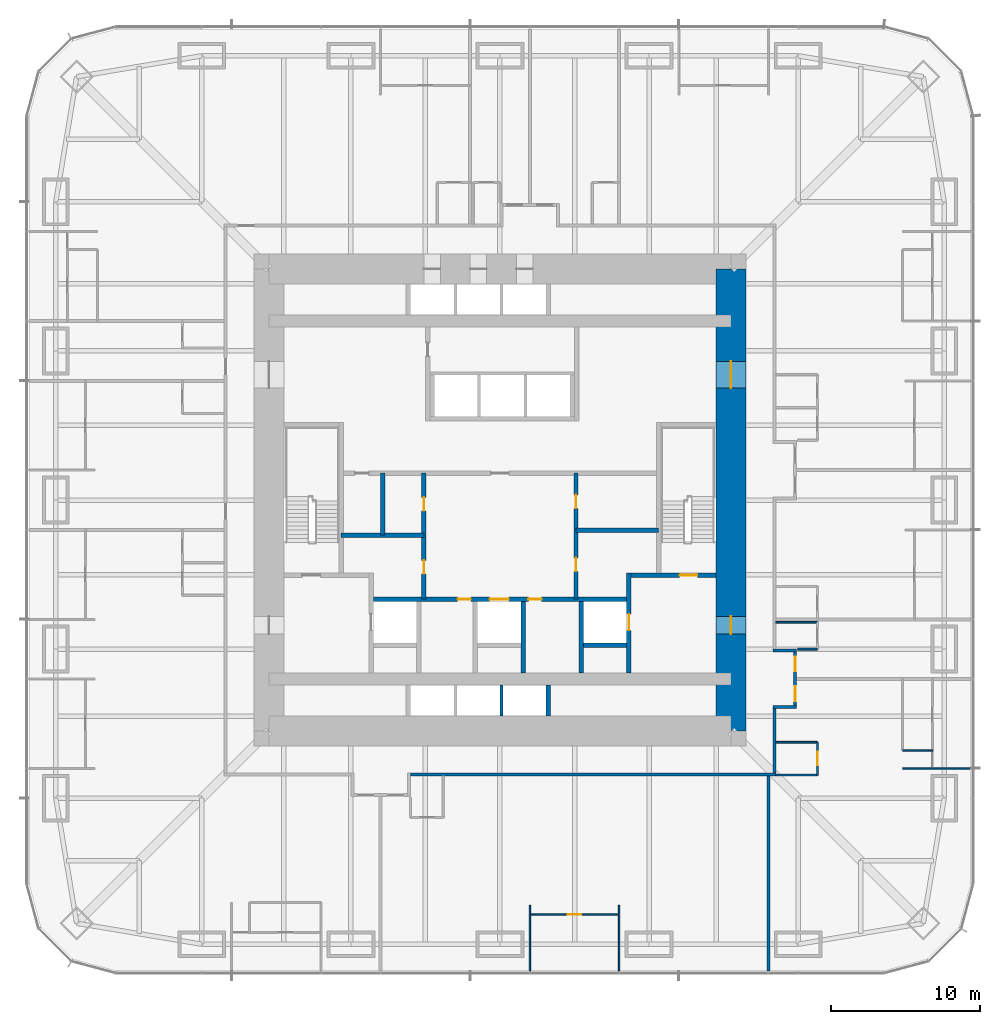
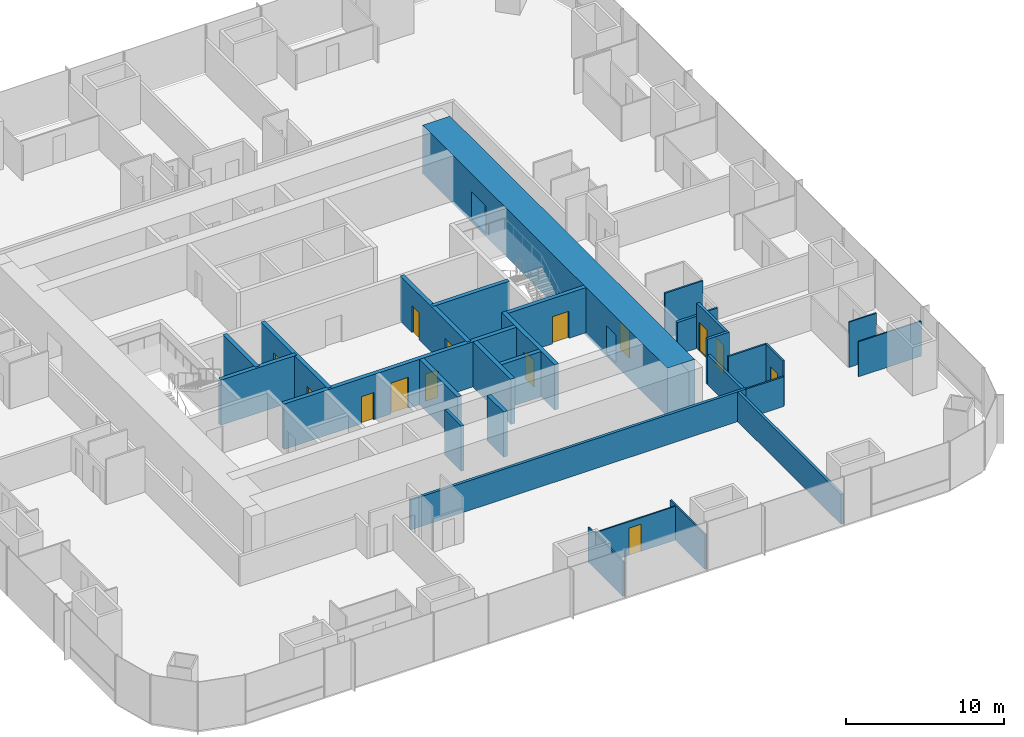
# One storey, part 13 of 17: 30 walls, 15 doors, 15 openings.
"""IFC4 building model written with IfcOpenShell, lengths in metres."""

from ifc_helpers import new_model, si_unit, direction, frame, frame_2d, origin, place, context, subcontext, project, spatial, rectangle, extrude, material, layer, layer_set, type_object, element, fill, save


model = new_model("IFC4")

# Units and contexts
model_context = context("Model", 3, precision=1e-05, world=origin(), true_north=direction((0.0, 1.0)))
body_context = subcontext(model_context, "Body", "Model", "MODEL_VIEW")
ifc_project = project(units=[si_unit("LENGTHUNIT", "METRE"), si_unit("AREAUNIT", "SQUARE_METRE"), si_unit("VOLUMEUNIT", "CUBIC_METRE"), si_unit("PLANEANGLEUNIT", "RADIAN"), si_unit("MASSUNIT", "GRAM", prefix="KILO")], contexts=[model_context])

# Site, building, storey
site_placement = place(None, origin())
site = spatial("IfcSite", under=ifc_project, at=site_placement, CompositionType="ELEMENT")
building_placement = place(site_placement, origin())
building = spatial("IfcBuilding", under=site, at=building_placement, Name="Khuree Lantern Residences", CompositionType="ELEMENT")
storey_placement = place(building_placement, frame((0.0, 0.0, 43.5)))
storey = spatial("IfcBuildingStorey", under=building, at=storey_placement, Name="L10", CompositionType="ELEMENT", Elevation=43.5)

# Wall, opening, door
ifc_material_1 = material(Name="Moisture-resistant gypsum board on steel studs", Category="steel")
ifc_layer_1 = layer(ifc_material_1, 0.125)
ifc_layer_set_1 = layer_set([ifc_layer_1], Name="BATHROOM WALL BTW125")
wall_type_1 = type_object("IfcWallType", Name="BATHROOM WALL BTW125", PredefinedType="PARTITIONING", material=ifc_layer_set_1)
wall_1_placement = place(storey_placement, frame((21.300048828125, -18.449951171875, 0.0), z_axis=(0.0, 0.0, 1.0), x_axis=(0.0, 1.0, 0.0)))
wall_1 = element("IfcWall", 1, at=wall_1_placement, inside=storey, type_object=wall_type_1, Name="L10 BATHROOM WALL 10", PredefinedType="PARTITIONING", context=body_context, shape_type="SweptSolid", body=[
    extrude(rectangle(XDim=2.199951171875, YDim=0.125, at=frame_2d((1.10009765625, 0.0))), origin(), (0.0, 0.0, 1.0), 3.5),
])
opening_1_placement = place(wall_1_placement, frame((0.64990234375, 0.0, 0.0)))
opening_1 = element("IfcOpeningElement", 2, at=opening_1_placement, cuts=wall_1, Name="Opening 10-058", PredefinedType="OPENING", context=body_context, shape_type="SweptSolid", body=[
    extrude(rectangle(XDim=0.89990234375, YDim=2.10009765625, at=frame_2d((0.449951171875, 1.050048828125))), frame((0.0, 0.072509765625, 0.0), z_axis=(0.0, -1.0, 0.0), x_axis=(1.0, 0.0, 0.0)), (0.0, 0.0, 1.0), 0.14501953125),
])
ifc_material_2 = material(Name="Timber door leaf in hardwood frame", Category="wood")
door_type_1 = type_object("IfcDoorType", Name="BATHROOM DOOR 900X2100", OperationType="SINGLE_SWING_LEFT", PredefinedType="DOOR", material=ifc_material_2)
door_1_placement = place(opening_1_placement, origin())
door_1 = element("IfcDoor", 3, at=door_1_placement, inside=storey, type_object=door_type_1, Name="Bathroom door 10-058", OperationType="SINGLE_SWING_LEFT", OverallHeight=2.10009765625, OverallWidth=0.89990234375, PredefinedType="DOOR", context=body_context, shape_type="SweptSolid", body=[
    extrude(rectangle(XDim=0.89990234375, YDim=2.10009765625, at=frame_2d((0.449951171875, 1.050048828125))), frame((0.0, 0.02490234375, 0.0), z_axis=(0.0, -1.0, 0.0), x_axis=(1.0, 0.0, 0.0)), (0.0, 0.0, 1.0), 0.050048828125),
])
fill(opening_1, door_1)

# Walls
wall_2_placement = place(storey_placement, frame((18.5, -18.449951171875, 0.0), z_axis=(0.0, 0.0, 1.0), x_axis=(1.0, 0.0, 0.0)))
element("IfcWall", 4, at=wall_2_placement, inside=storey, type_object=wall_type_1, Name="L10 BATHROOM WALL 10", PredefinedType="PARTITIONING", context=body_context, shape_type="SweptSolid", body=[
    extrude(rectangle(XDim=2.800048828125, YDim=0.125, at=frame_2d((1.39990234375, 0.0))), origin(), (0.0, 0.0, 1.0), 2.300048828125),
])
wall_3_placement = place(storey_placement, frame((18.5, -16.25, 0.0), z_axis=(0.0, 0.0, 1.0), x_axis=(1.0, 0.0, 0.0)))
element("IfcWall", 5, at=wall_3_placement, inside=storey, type_object=wall_type_1, Name="L10 BATHROOM WALL 10", PredefinedType="PARTITIONING", context=body_context, shape_type="SweptSolid", body=[
    extrude(rectangle(XDim=2.800048828125, YDim=0.125, at=frame_2d((1.39990234375, 0.0))), origin(), (0.0, 0.0, 1.0), 3.5),
])
wall_4_placement = place(storey_placement, frame((19.969970703125, -10.0, 0.0), z_axis=(0.0, 0.0, 1.0), x_axis=(1.0, 0.0, 0.0)))
element("IfcWall", 6, at=wall_4_placement, inside=storey, type_object=wall_type_1, Name="L10 BATHROOM WALL 11", PredefinedType="PARTITIONING", context=body_context, shape_type="SweptSolid", body=[
    extrude(rectangle(XDim=1.330078125, YDim=0.125, at=frame_2d((0.6650390625, 0.0))), origin(), (0.0, 0.0, 1.0), 2.491943359375),
])
wall_5_placement = place(storey_placement, frame((18.5, -8.199951171875, 0.0), z_axis=(0.0, 0.0, 1.0), x_axis=(1.0, 0.0, 0.0)))
element("IfcWall", 7, at=wall_5_placement, inside=storey, type_object=wall_type_1, Name="L10 BATHROOM WALL 11", PredefinedType="PARTITIONING", context=body_context, shape_type="SweptSolid", body=[
    extrude(rectangle(XDim=2.800048828125, YDim=0.125, at=frame_2d((1.39990234375, 0.0))), origin(), (0.0, 0.0, 1.0), 3.5),
])

# Wall, opening, door
ifc_material_3 = material(Name="Dense concrete blockwork", Category="masonry")
ifc_layer_2 = layer(ifc_material_3, 0.300048828125)
ifc_layer_set_2 = layer_set([ifc_layer_2], Name="CORE PARTITION WALL CPW300 EI 120")
wall_type_2 = type_object("IfcWallType", Name="CORE PARTITION WALL CPW300 EI 120", PredefinedType="PARTITIONING", material=ifc_layer_set_2)
wall_6_placement = place(storey_placement, frame((8.64990234375, -11.60009765625, 0.0), z_axis=(0.0, 0.0, 1.0), x_axis=(0.0, 1.0, 0.0)))
wall_6 = element("IfcWall", 8, at=wall_6_placement, inside=storey, type_object=wall_type_2, Name="L10 CORE WALL FL2E", PredefinedType="PARTITIONING", context=body_context, shape_type="SweptSolid", body=[
    extrude(rectangle(XDim=6.7001953125, YDim=0.300048828125, at=frame_2d((3.35009765625, 0.0))), origin(), (0.0, 0.0, 1.0), 3.5),
])
opening_2_placement = place(wall_6_placement, frame((2.85009765625, 0.0, 0.0)))
opening_2 = element("IfcOpeningElement", 9, at=opening_2_placement, cuts=wall_6, Name="Opening 10-008", PredefinedType="OPENING", context=body_context, shape_type="SweptSolid", body=[
    extrude(rectangle(XDim=1.10009765625, YDim=2.10009765625, at=frame_2d((0.550048828125, 1.050048828125))), frame((0.0, 0.16015625, 0.0), z_axis=(0.0, -1.0, 0.0), x_axis=(1.0, 0.0, 0.0)), (0.0, 0.0, 1.0), 0.320068359375),
])
ifc_material_4 = material(Name="Stainless steel lift landing door", Category="steel")
door_type_2 = type_object("IfcDoorType", Name="LIFT LANDING DOOR 1100X2100 E 120", OperationType="DOUBLE_DOOR_SLIDING", PredefinedType="DOOR", material=ifc_material_4)
door_2_placement = place(opening_2_placement, origin())
door_2 = element("IfcDoor", 10, at=door_2_placement, inside=storey, type_object=door_type_2, Name="Landing door FL2 10-008", OperationType="DOUBLE_DOOR_SLIDING", OverallHeight=2.10009765625, OverallWidth=1.10009765625, PredefinedType="DOOR", context=body_context, shape_type="SweptSolid", body=[
    extrude(rectangle(XDim=1.10009765625, YDim=2.10009765625, at=frame_2d((0.550048828125, 1.050048828125))), frame((0.0, 0.02490234375, 0.0), z_axis=(0.0, -1.0, 0.0), x_axis=(1.0, 0.0, 0.0)), (0.0, 0.0, 1.0), 0.050048828125),
])
fill(opening_2, door_2)

# Wall, openings, doors
wall_7_placement = place(storey_placement, frame((-8.5, -6.64990234375, 0.0), z_axis=(0.0, 0.0, 1.0), x_axis=(1.0, 0.0, 0.0)))
wall_7 = element("IfcWall", 11, at=wall_7_placement, inside=storey, type_object=wall_type_2, Name="L10 CORE WALL FLROW", PredefinedType="PARTITIONING", context=body_context, shape_type="SweptSolid", body=[
    extrude(rectangle(XDim=17.0, YDim=0.300048828125, at=frame_2d((8.5, 0.0))), origin(), (0.0, 0.0, 1.0), 3.5),
])
opening_3_placement = place(wall_7_placement, frame((7.800048828125, 0.0, 0.0)))
opening_3 = element("IfcOpeningElement", 12, at=opening_3_placement, cuts=wall_7, Name="Opening 10-012", PredefinedType="OPENING", context=body_context, shape_type="SweptSolid", body=[
    extrude(rectangle(XDim=1.300048828125, YDim=2.39990234375, at=frame_2d((0.64990234375, 1.199951171875))), frame((0.0, 0.16015625, 0.0), z_axis=(0.0, -1.0, 0.0), x_axis=(1.0, 0.0, 0.0)), (0.0, 0.0, 1.0), 0.320068359375),
])
opening_4_placement = place(wall_7_placement, frame((5.64990234375, 0.0, 0.0)))
opening_4 = element("IfcOpeningElement", 13, at=opening_4_placement, cuts=wall_7, Name="Opening 10-014", PredefinedType="OPENING", context=body_context, shape_type="SweptSolid", body=[
    extrude(rectangle(XDim=0.89990234375, YDim=2.10009765625, at=frame_2d((0.449951171875, 1.050048828125))), frame((0.0, 0.16015625, 0.0), z_axis=(0.0, -1.0, 0.0), x_axis=(1.0, 0.0, 0.0)), (0.0, 0.0, 1.0), 0.320068359375),
])
opening_5_placement = place(wall_7_placement, frame((10.39990234375, 0.0, 0.0)))
opening_5 = element("IfcOpeningElement", 14, at=opening_5_placement, cuts=wall_7, Name="Opening 10-015", PredefinedType="OPENING", context=body_context, shape_type="SweptSolid", body=[
    extrude(rectangle(XDim=0.89990234375, YDim=2.10009765625, at=frame_2d((0.449951171875, 1.050048828125))), frame((0.0, 0.16015625, 0.0), z_axis=(0.0, -1.0, 0.0), x_axis=(1.0, 0.0, 0.0)), (0.0, 0.0, 1.0), 0.320068359375),
])
ifc_material_5 = material(Name="Steel door leaf in steel frame", Category="steel")
door_type_3 = type_object("IfcDoorType", Name="DOOR 900X2100 EI 60", OperationType="SINGLE_SWING_LEFT", PredefinedType="DOOR", material=ifc_material_5)
door_3_placement = place(opening_4_placement, origin())
door_3 = element("IfcDoor", 15, at=door_3_placement, inside=storey, type_object=door_type_3, Name="Refuse chute room door 10-014", OperationType="SINGLE_SWING_LEFT", OverallHeight=2.10009765625, OverallWidth=0.89990234375, PredefinedType="DOOR", context=body_context, shape_type="SweptSolid", body=[
    extrude(rectangle(XDim=0.89990234375, YDim=2.10009765625, at=frame_2d((0.449951171875, 1.050048828125))), frame((0.0, 0.02490234375, 0.0), z_axis=(0.0, -1.0, 0.0), x_axis=(1.0, 0.0, 0.0)), (0.0, 0.0, 1.0), 0.050048828125),
])
fill(opening_4, door_3)
door_type_4 = type_object("IfcDoorType", Name="DOOR 900X2100 EI 60 RIGHT HAND", OperationType="SINGLE_SWING_RIGHT", PredefinedType="DOOR", material=ifc_material_5)
door_4_placement = place(opening_5_placement, origin())
door_4 = element("IfcDoor", 16, at=door_4_placement, inside=storey, type_object=door_type_4, Name="Electrical and plumbing riser door 10-015", OperationType="SINGLE_SWING_RIGHT", OverallHeight=2.10009765625, OverallWidth=0.89990234375, PredefinedType="DOOR", context=body_context, shape_type="SweptSolid", body=[
    extrude(rectangle(XDim=0.89990234375, YDim=2.10009765625, at=frame_2d((0.449951171875, 1.050048828125))), frame((0.0, 0.02490234375, 0.0), z_axis=(0.0, -1.0, 0.0), x_axis=(1.0, 0.0, 0.0)), (0.0, 0.0, 1.0), 0.050048828125),
])
fill(opening_5, door_4)
door_type_5 = type_object("IfcDoorType", Name="LIFT LANDING DOOR 1300X2400 E 60", OperationType="DOUBLE_DOOR_SLIDING", PredefinedType="DOOR", material=ifc_material_4)
door_5_placement = place(opening_3_placement, origin())
door_5 = element("IfcDoor", 17, at=door_5_placement, inside=storey, type_object=door_type_5, Name="Landing door SL1 10-012", OperationType="DOUBLE_DOOR_SLIDING", OverallHeight=2.39990234375, OverallWidth=1.300048828125, PredefinedType="DOOR", context=body_context, shape_type="SweptSolid", body=[
    extrude(rectangle(XDim=1.300048828125, YDim=2.39990234375, at=frame_2d((0.64990234375, 1.199951171875))), frame((0.0, 0.02490234375, 0.0), z_axis=(0.0, -1.0, 0.0), x_axis=(1.0, 0.0, 0.0)), (0.0, 0.0, 1.0), 0.050048828125),
])
fill(opening_3, door_5)

# Walls
for number, where, z_axis, x_axis, name in (
    (18, (1.550048828125, -11.60009765625, 0.0), (0.0, 0.0, 1.0), (0.0, 1.0, 0.0), "L10 CORE WALL SL1E"),
    (19, (5.449951171875, -11.60009765625, 0.0), (0.0, 0.0, 1.0), (0.0, 1.0, 0.0), "L10 CORE WALL FL2W"),
):
    element("IfcWall", number, at=place(storey_placement, frame(where, z_axis=z_axis, x_axis=x_axis)), inside=storey, type_object=wall_type_2, Name=name, PredefinedType="PARTITIONING", context=body_context, shape_type="SweptSolid", body=[
        extrude(rectangle(XDim=4.800048828125, YDim=0.300048828125, at=frame_2d((2.39990234375, 0.0))), origin(), (0.0, 0.0, 1.0), 3.5),
    ])
wall_8_placement = place(storey_placement, frame((5.60009765625, -9.75, 0.0), z_axis=(0.0, 0.0, 1.0), x_axis=(1.0, 0.0, 0.0)))
element("IfcWall", 20, at=wall_8_placement, inside=storey, type_object=wall_type_2, Name="L10 CORE WALL FL2S", PredefinedType="PARTITIONING", context=body_context, shape_type="SweptSolid", body=[
    extrude(rectangle(XDim=2.89990234375, YDim=0.300048828125, at=frame_2d((1.449951171875, 0.0))), origin(), (0.0, 0.0, 1.0), 3.5),
])
wall_9_placement = place(storey_placement, frame((3.25, -14.5, 0.0), z_axis=(0.0, 0.0, 1.0), x_axis=(0.0, 1.0, 0.0)))
element("IfcWall", 21, at=wall_9_placement, inside=storey, type_object=wall_type_2, Name="L10 CORE WALL PME", PredefinedType="PARTITIONING", context=body_context, shape_type="SweptSolid", body=[
    extrude(rectangle(XDim=2.10009765625, YDim=0.300048828125, at=frame_2d((1.050048828125, 0.0))), origin(), (0.0, 0.0, 1.0), 3.5),
])

# Wall, openings, doors
wall_10_placement = place(storey_placement, frame((-5.10009765625, -6.64990234375, 0.0), z_axis=(0.0, 0.0, 1.0), x_axis=(0.0, 1.0, 0.0)))
wall_10 = element("IfcWall", 22, at=wall_10_placement, inside=storey, type_object=wall_type_2, Name="L10 CORE WALL SVW", PredefinedType="PARTITIONING", context=body_context, shape_type="SweptSolid", body=[
    extrude(rectangle(XDim=8.449951171875, YDim=0.300048828125, at=frame_2d((4.22509765625, 0.0))), origin(), (0.0, 0.0, 1.0), 3.5),
])
opening_6_placement = place(wall_10_placement, frame((1.699951171875, 0.0, 0.0)))
opening_6 = element("IfcOpeningElement", 23, at=opening_6_placement, cuts=wall_10, Name="Opening 10-016", PredefinedType="OPENING", context=body_context, shape_type="SweptSolid", body=[
    extrude(rectangle(XDim=0.89990234375, YDim=2.10009765625, at=frame_2d((0.449951171875, 1.050048828125))), frame((0.0, 0.16015625, 0.0), z_axis=(0.0, -1.0, 0.0), x_axis=(1.0, 0.0, 0.0)), (0.0, 0.0, 1.0), 0.320068359375),
])
opening_7_placement = place(wall_10_placement, frame((5.925048828125, 0.0, 0.0)))
opening_7 = element("IfcOpeningElement", 24, at=opening_7_placement, cuts=wall_10, Name="Opening 10-017", PredefinedType="OPENING", context=body_context, shape_type="SweptSolid", body=[
    extrude(rectangle(XDim=0.89990234375, YDim=2.10009765625, at=frame_2d((0.449951171875, 1.050048828125))), frame((0.0, 0.16015625, 0.0), z_axis=(0.0, -1.0, 0.0), x_axis=(1.0, 0.0, 0.0)), (0.0, 0.0, 1.0), 0.320068359375),
])
door_type_6 = type_object("IfcDoorType", Name="DOOR 900X2100", OperationType="SINGLE_SWING_LEFT", PredefinedType="DOOR", material=ifc_material_2)
door_6_placement = place(opening_6_placement, origin())
door_6 = element("IfcDoor", 25, at=door_6_placement, inside=storey, type_object=door_type_6, Name="Parcel room door 10-016", OperationType="SINGLE_SWING_LEFT", OverallHeight=2.10009765625, OverallWidth=0.89990234375, PredefinedType="DOOR", context=body_context, shape_type="SweptSolid", body=[
    extrude(rectangle(XDim=0.89990234375, YDim=2.10009765625, at=frame_2d((0.449951171875, 1.050048828125))), frame((0.0, 0.02490234375, 0.0), z_axis=(0.0, -1.0, 0.0), x_axis=(1.0, 0.0, 0.0)), (0.0, 0.0, 1.0), 0.050048828125),
])
fill(opening_6, door_6)
door_7_placement = place(opening_7_placement, origin())
door_7 = element("IfcDoor", 26, at=door_7_placement, inside=storey, type_object=door_type_6, Name="Housekeeping store door 10-017", OperationType="SINGLE_SWING_LEFT", OverallHeight=2.10009765625, OverallWidth=0.89990234375, PredefinedType="DOOR", context=body_context, shape_type="SweptSolid", body=[
    extrude(rectangle(XDim=0.89990234375, YDim=2.10009765625, at=frame_2d((0.449951171875, 1.050048828125))), frame((0.0, 0.02490234375, 0.0), z_axis=(0.0, -1.0, 0.0), x_axis=(1.0, 0.0, 0.0)), (0.0, 0.0, 1.0), 0.050048828125),
])
fill(opening_7, door_7)

wall_11_placement = place(storey_placement, frame((5.10009765625, -6.64990234375, 0.0), z_axis=(0.0, 0.0, 1.0), x_axis=(0.0, 1.0, 0.0)))
wall_11 = element("IfcWall", 27, at=wall_11_placement, inside=storey, type_object=wall_type_2, Name="L10 CORE WALL SVE", PredefinedType="PARTITIONING", context=body_context, shape_type="SweptSolid", body=[
    extrude(rectangle(XDim=8.449951171875, YDim=0.300048828125, at=frame_2d((4.22509765625, 0.0))), origin(), (0.0, 0.0, 1.0), 3.5),
])
opening_8_placement = place(wall_11_placement, frame((1.865966796875, 0.0, 0.0)))
opening_8 = element("IfcOpeningElement", 28, at=opening_8_placement, cuts=wall_11, Name="Opening 10-019", PredefinedType="OPENING", context=body_context, shape_type="SweptSolid", body=[
    extrude(rectangle(XDim=0.89990234375, YDim=2.10009765625, at=frame_2d((0.449951171875, 1.050048828125))), frame((0.0, 0.16015625, 0.0), z_axis=(0.0, -1.0, 0.0), x_axis=(1.0, 0.0, 0.0)), (0.0, 0.0, 1.0), 0.320068359375),
])
opening_9_placement = place(wall_11_placement, frame((6.091064453125, 0.0, 0.0)))
opening_9 = element("IfcOpeningElement", 29, at=opening_9_placement, cuts=wall_11, Name="Opening 10-020", PredefinedType="OPENING", context=body_context, shape_type="SweptSolid", body=[
    extrude(rectangle(XDim=0.89990234375, YDim=2.10009765625, at=frame_2d((0.449951171875, 1.050048828125))), frame((0.0, 0.16015625, 0.0), z_axis=(0.0, -1.0, 0.0), x_axis=(1.0, 0.0, 0.0)), (0.0, 0.0, 1.0), 0.320068359375),
])
door_8_placement = place(opening_8_placement, origin())
door_8 = element("IfcDoor", 30, at=door_8_placement, inside=storey, type_object=door_type_6, Name="Bulky waste store door 10-019", OperationType="SINGLE_SWING_LEFT", OverallHeight=2.10009765625, OverallWidth=0.89990234375, PredefinedType="DOOR", context=body_context, shape_type="SweptSolid", body=[
    extrude(rectangle(XDim=0.89990234375, YDim=2.10009765625, at=frame_2d((0.449951171875, 1.050048828125))), frame((0.0, 0.02490234375, 0.0), z_axis=(0.0, -1.0, 0.0), x_axis=(1.0, 0.0, 0.0)), (0.0, 0.0, 1.0), 0.050048828125),
])
fill(opening_8, door_8)
door_type_7 = type_object("IfcDoorType", Name="DOOR 900X2100 RIGHT HAND", OperationType="SINGLE_SWING_RIGHT", PredefinedType="DOOR", material=ifc_material_2)
door_9_placement = place(opening_9_placement, origin())
door_9 = element("IfcDoor", 31, at=door_9_placement, inside=storey, type_object=door_type_7, Name="Parcel room door 10-020", OperationType="SINGLE_SWING_RIGHT", OverallHeight=2.10009765625, OverallWidth=0.89990234375, PredefinedType="DOOR", context=body_context, shape_type="SweptSolid", body=[
    extrude(rectangle(XDim=0.89990234375, YDim=2.10009765625, at=frame_2d((0.449951171875, 1.050048828125))), frame((0.0, 0.02490234375, 0.0), z_axis=(0.0, -1.0, 0.0), x_axis=(1.0, 0.0, 0.0)), (0.0, 0.0, 1.0), 0.050048828125),
])
fill(opening_9, door_9)

# Walls
wall_12_placement = place(storey_placement, frame((-10.64990234375, -2.35009765625, 0.0), z_axis=(0.0, 0.0, 1.0), x_axis=(1.0, 0.0, 0.0)))
element("IfcWall", 32, at=wall_12_placement, inside=storey, type_object=wall_type_2, Name="L10 CORE WALL WX", PredefinedType="PARTITIONING", context=body_context, shape_type="SweptSolid", body=[
    extrude(rectangle(XDim=5.5498046875, YDim=0.300048828125, at=frame_2d((2.77490234375, 0.0))), origin(), (0.0, 0.0, 1.0), 3.5),
])
wall_13_placement = place(storey_placement, frame((-7.875, -2.35009765625, 0.0), z_axis=(0.0, 0.0, 1.0), x_axis=(0.0, 1.0, 0.0)))
element("IfcWall", 33, at=wall_13_placement, inside=storey, type_object=wall_type_2, Name="L10 CORE WALL WV", PredefinedType="PARTITIONING", context=body_context, shape_type="SweptSolid", body=[
    extrude(rectangle(XDim=4.150146484375, YDim=0.300048828125, at=frame_2d((2.0751953125, 0.0))), origin(), (0.0, 0.0, 1.0), 3.5),
])
wall_14_placement = place(storey_placement, frame((10.64990234375, -2.01806640625, 0.0), z_axis=(0.0, 0.0, 1.0), x_axis=(-1.0, 0.0, 0.0)))
element("IfcWall", 34, at=wall_14_placement, inside=storey, type_object=wall_type_2, Name="L10 CORE WALL EX", PredefinedType="PARTITIONING", context=body_context, shape_type="SweptSolid", body=[
    extrude(rectangle(XDim=5.5498046875, YDim=0.300048828125, at=frame_2d((2.77490234375, 0.0))), origin(), (0.0, 0.0, 1.0), 3.5),
])
ifc_material_6 = material(Name="Gypsum board on steel studs", Category="steel")
ifc_layer_3 = layer(ifc_material_6, 0.199951171875)
ifc_layer_set_3 = layer_set([ifc_layer_3], Name="CORRIDOR WALL CRW200 EI 60")
wall_type_3 = type_object("IfcWallType", Name="CORRIDOR WALL CRW200 EI 60", PredefinedType="PARTITIONING", material=ifc_layer_set_3)
wall_15_placement = place(storey_placement, frame((18.39990234375, -18.300048828125, 0.0), z_axis=(0.0, 0.0, 1.0), x_axis=(0.0, 1.0, 0.0)))
element("IfcWall", 35, at=wall_15_placement, inside=storey, type_object=wall_type_3, Name="L10 CORRIDOR WALL EAST 1", PredefinedType="PARTITIONING", context=body_context, shape_type="SweptSolid", body=[
    extrude(rectangle(XDim=4.300048828125, YDim=0.199951171875, at=frame_2d((2.14990234375, 0.0))), origin(), (0.0, 0.0, 1.0), 2.300048828125),
])
wall_16_placement = place(storey_placement, frame((18.300048828125, -13.89990234375, 0.0), z_axis=(0.0, 0.0, 1.0), x_axis=(1.0, 0.0, 0.0)))
element("IfcWall", 36, at=wall_16_placement, inside=storey, type_object=wall_type_3, Name="L10 CORRIDOR ALCOVE WALL EAST", PredefinedType="PARTITIONING", context=body_context, shape_type="SweptSolid", body=[
    extrude(rectangle(XDim=1.599853515625, YDim=0.199951171875, at=frame_2d((0.7998046875, 0.0))), origin(), (0.0, 0.0, 1.0), 3.5),
])
wall_17_placement = place(storey_placement, frame((18.300048828125, -10.10009765625, 0.0), z_axis=(0.0, 0.0, 1.0), x_axis=(1.0, 0.0, 0.0)))
element("IfcWall", 37, at=wall_17_placement, inside=storey, type_object=wall_type_3, Name="L10 CORRIDOR ALCOVE WALL EAST", PredefinedType="PARTITIONING", context=body_context, shape_type="SweptSolid", body=[
    extrude(rectangle(XDim=1.599853515625, YDim=0.199951171875, at=frame_2d((0.7998046875, 0.0))), origin(), (0.0, 0.0, 1.0), 2.491943359375),
])

# Wall, openings, doors
wall_18_placement = place(storey_placement, frame((19.800048828125, -13.800048828125, 0.0), z_axis=(0.0, 0.0, 1.0), x_axis=(0.0, 1.0, 0.0)))
wall_18 = element("IfcWall", 38, at=wall_18_placement, inside=storey, type_object=wall_type_3, Name="L10 CORRIDOR ALCOVE WALL EAST", PredefinedType="PARTITIONING", context=body_context, shape_type="SweptSolid", body=[
    extrude(rectangle(XDim=3.60009765625, YDim=0.199951171875, at=frame_2d((1.800048828125, 0.0))), origin(), (0.0, 0.0, 1.0), 3.5),
])
opening_10_placement = place(wall_18_placement, frame((0.300048828125, 0.0, 0.0)))
opening_10 = element("IfcOpeningElement", 39, at=opening_10_placement, cuts=wall_18, Name="Opening 10-059", PredefinedType="OPENING", context=body_context, shape_type="SweptSolid", body=[
    extrude(rectangle(XDim=1.0, YDim=2.199951171875, at=frame_2d((0.5, 1.10009765625))), frame((0.0, 0.10986328125, 0.0), z_axis=(0.0, -1.0, 0.0), x_axis=(1.0, 0.0, 0.0)), (0.0, 0.0, 1.0), 0.219970703125),
])
opening_11_placement = place(wall_18_placement, frame((2.300048828125, 0.0, 0.0)))
opening_11 = element("IfcOpeningElement", 40, at=opening_11_placement, cuts=wall_18, Name="Opening 10-061", PredefinedType="OPENING", context=body_context, shape_type="SweptSolid", body=[
    extrude(rectangle(XDim=1.0, YDim=2.199951171875, at=frame_2d((0.5, 1.10009765625))), frame((0.0, 0.10986328125, 0.0), z_axis=(0.0, -1.0, 0.0), x_axis=(1.0, 0.0, 0.0)), (0.0, 0.0, 1.0), 0.219970703125),
])
door_type_8 = type_object("IfcDoorType", Name="APARTMENT ENTRANCE DOOR 1000X2200 EI 30S", OperationType="SINGLE_SWING_LEFT", PredefinedType="DOOR", material=ifc_material_2)
door_10_placement = place(opening_10_placement, origin())
door_10 = element("IfcDoor", 41, at=door_10_placement, inside=storey, type_object=door_type_8, Name="Apartment 10 entrance door 10-059", OperationType="SINGLE_SWING_LEFT", OverallHeight=2.199951171875, OverallWidth=1.0, PredefinedType="DOOR", context=body_context, shape_type="SweptSolid", body=[
    extrude(rectangle(XDim=1.0, YDim=2.199951171875, at=frame_2d((0.5, 1.10009765625))), frame((0.0, 0.02490234375, 0.0), z_axis=(0.0, -1.0, 0.0), x_axis=(1.0, 0.0, 0.0)), (0.0, 0.0, 1.0), 0.050048828125),
])
fill(opening_10, door_10)
door_type_9 = type_object("IfcDoorType", Name="APARTMENT ENTRANCE DOOR 1000X2200 EI 30S RIGHT HAND", OperationType="SINGLE_SWING_RIGHT", PredefinedType="DOOR", material=ifc_material_2)
door_11_placement = place(opening_11_placement, origin())
door_11 = element("IfcDoor", 42, at=door_11_placement, inside=storey, type_object=door_type_9, Name="Apartment 11 entrance door 10-061", OperationType="SINGLE_SWING_RIGHT", OverallHeight=2.199951171875, OverallWidth=1.0, PredefinedType="DOOR", context=body_context, shape_type="SweptSolid", body=[
    extrude(rectangle(XDim=1.0, YDim=2.199951171875, at=frame_2d((0.5, 1.10009765625))), frame((0.0, 0.02490234375, 0.0), z_axis=(0.0, -1.0, 0.0), x_axis=(1.0, 0.0, 0.0)), (0.0, 0.0, 1.0), 0.050048828125),
])
fill(opening_11, door_11)

# Wall
wall_19_placement = place(storey_placement, frame((18.5, -18.39990234375, 0.0), z_axis=(0.0, 0.0, 1.0), x_axis=(-1.0, 0.0, 0.0)))
element("IfcWall", 43, at=wall_19_placement, inside=storey, type_object=wall_type_3, Name="L10 CORRIDOR WALL SOUTH 1", PredefinedType="PARTITIONING", context=body_context, shape_type="SweptSolid", body=[
    extrude(rectangle(XDim=24.5, YDim=0.199951171875, at=frame_2d((12.25, 0.0))), origin(), (0.0, 0.0, 1.0), 2.300048828125),
])

# Wall, openings, doors
ifc_material_7 = material(Name="Concrete C70/85", Category="concrete")
ifc_layer_4 = layer(ifc_material_7, 2.0)
ifc_layer_set_4 = layer_set([ifc_layer_4], Name="CW2000-C70 CORE WALL C70 2000")
wall_type_4 = type_object("IfcWallType", Name="CW2000-C70 CORE WALL C70 2000", PredefinedType="SHEAR", material=ifc_layer_set_4)
wall_20_placement = place(storey_placement, frame((15.5, -15.5, -0.25), z_axis=(0.0, 0.0, 1.0), x_axis=(0.0, 1.0, 0.0)))
wall_20 = element("IfcWall", 44, at=wall_20_placement, inside=storey, type_object=wall_type_4, Name="Core wall E", PredefinedType="SHEAR", context=body_context, shape_type="SweptSolid", body=[
    extrude(rectangle(XDim=31.0, YDim=2.0, at=frame_2d((15.5, 0.0))), origin(), (0.0, 0.0, 1.0), 3.75),
])
opening_12_placement = place(wall_20_placement, frame((6.5, 0.0, 0.25)))
opening_12 = element("IfcOpeningElement", 45, at=opening_12_placement, cuts=wall_20, Name="Opening 10-005", PredefinedType="OPENING", context=body_context, shape_type="SweptSolid", body=[
    extrude(rectangle(XDim=1.199951171875, YDim=2.10009765625, at=frame_2d((0.60009765625, 1.050048828125))), frame((0.0, 1.010009765625, 0.0), z_axis=(0.0, -1.0, 0.0), x_axis=(1.0, 0.0, 0.0)), (0.0, 0.0, 1.0), 2.02001953125),
])
opening_13_placement = place(wall_20_placement, frame((23.0, 0.0, 0.25)))
opening_13 = element("IfcOpeningElement", 46, at=opening_13_placement, cuts=wall_20, Name="Opening 10-006", PredefinedType="OPENING", context=body_context, shape_type="SweptSolid", body=[
    extrude(rectangle(XDim=1.800048828125, YDim=2.10009765625, at=frame_2d((0.89990234375, 1.050048828125))), frame((0.0, 1.010009765625, 0.0), z_axis=(0.0, -1.0, 0.0), x_axis=(1.0, 0.0, 0.0)), (0.0, 0.0, 1.0), 2.02001953125),
])
door_type_10 = type_object("IfcDoorType", Name="LOBBY DOOR 1200X2100 EI 120", OperationType="SINGLE_SWING_LEFT", PredefinedType="DOOR", material=ifc_material_5)
door_12_placement = place(opening_12_placement, origin())
door_12 = element("IfcDoor", 47, at=door_12_placement, inside=storey, type_object=door_type_10, Name="Firefighting lobby door 10-005", OperationType="SINGLE_SWING_LEFT", OverallHeight=2.10009765625, OverallWidth=1.199951171875, PredefinedType="DOOR", context=body_context, shape_type="SweptSolid", body=[
    extrude(rectangle(XDim=1.199951171875, YDim=2.10009765625, at=frame_2d((0.60009765625, 1.050048828125))), frame((0.0, 0.02490234375, 0.0), z_axis=(0.0, -1.0, 0.0), x_axis=(1.0, 0.0, 0.0)), (0.0, 0.0, 1.0), 0.050048828125),
])
fill(opening_12, door_12)
door_type_11 = type_object("IfcDoorType", Name="LOBBY DOUBLE DOOR 1800X2100 EI 60", OperationType="DOUBLE_DOOR_SINGLE_SWING", PredefinedType="DOOR", material=ifc_material_5)
door_13_placement = place(opening_13_placement, origin())
door_13 = element("IfcDoor", 48, at=door_13_placement, inside=storey, type_object=door_type_11, Name="Lift lobby door 10-006", OperationType="DOUBLE_DOOR_SINGLE_SWING", OverallHeight=2.10009765625, OverallWidth=1.800048828125, PredefinedType="DOOR", context=body_context, shape_type="SweptSolid", body=[
    extrude(rectangle(XDim=1.800048828125, YDim=2.10009765625, at=frame_2d((0.89990234375, 1.050048828125))), frame((0.0, 0.02490234375, 0.0), z_axis=(0.0, -1.0, 0.0), x_axis=(1.0, 0.0, 0.0)), (0.0, 0.0, 1.0), 0.050048828125),
])
fill(opening_13, door_13)

# Walls
ifc_layer_5 = layer(ifc_material_6, 0.199951171875)
ifc_layer_set_5 = layer_set([ifc_layer_5], Name="DEMISING WALL DMW200 EI 90")
wall_type_5 = type_object("IfcWallType", Name="DEMISING WALL DMW200 EI 90", PredefinedType="PARTITIONING", material=ifc_layer_set_5)
wall_21_placement = place(storey_placement, frame((18.0, -18.5, 0.0), z_axis=(0.0, 0.0, 1.0), x_axis=(0.0, -1.0, 0.0)))
element("IfcWall", 49, at=wall_21_placement, inside=storey, type_object=wall_type_5, Name="L10 DEMISING WALL 10", PredefinedType="PARTITIONING", context=body_context, shape_type="SweptSolid", body=[
    extrude(rectangle(XDim=13.10009765625, YDim=0.199951171875, at=frame_2d((6.550048828125, 0.0))), origin(), (0.0, 0.0, 1.0), 2.300048828125),
])
ifc_layer_6 = layer(ifc_material_6, 0.10009765625)
ifc_layer_set_6 = layer_set([ifc_layer_6], Name="PARTITION PT100")
wall_type_6 = type_object("IfcWallType", Name="PARTITION PT100", PredefinedType="PARTITIONING", material=ifc_layer_set_6)
for number, where, z_axis, x_axis, name in (
    (50, (2.0, -27.199951171875, 0.0), (0.0, 0.0, 1.0), (0.0, -1.0, 0.0), "L10 PARTITION 09"),
    (51, (8.0, -27.199951171875, 0.0), (0.0, 0.0, 1.0), (0.0, -1.0, 0.0), "L10 PARTITION 09"),
):
    element("IfcWall", number, at=place(storey_placement, frame(where, z_axis=z_axis, x_axis=x_axis)), inside=storey, type_object=wall_type_6, Name=name, PredefinedType="PARTITIONING", context=body_context, shape_type="SweptSolid", body=[
        extrude(rectangle(XDim=4.400146484375, YDim=0.10009765625, at=frame_2d((2.2001953125, 0.0))), origin(), (0.0, 0.0, 1.0), 2.7099609375),
    ])
wall_22_placement = place(storey_placement, frame((27.0166015625, -18.0, 0.0), z_axis=(0.0, 0.0, 1.0), x_axis=(1.0, 0.0, 0.0)))
element("IfcWall", 52, at=wall_22_placement, inside=storey, type_object=wall_type_6, Name="L10 PARTITION 10", PredefinedType="PARTITIONING", context=body_context, shape_type="SweptSolid", body=[
    extrude(rectangle(XDim=4.58349609375, YDim=0.10009765625, at=frame_2d((2.291748046875, 0.0))), origin(), (0.0, 0.0, 1.0), 2.7099609375),
])

# Wall, opening, door
wall_23_placement = place(storey_placement, frame((2.0, -27.800048828125, 0.0), z_axis=(0.0, 0.0, 1.0), x_axis=(1.0, 0.0, 0.0)))
wall_23 = element("IfcWall", 53, at=wall_23_placement, inside=storey, type_object=wall_type_6, Name="L10 PARTITION 09", PredefinedType="PARTITIONING", context=body_context, shape_type="SweptSolid", body=[
    extrude(rectangle(XDim=6.0, YDim=0.10009765625, at=frame_2d((3.0, 0.0))), origin(), (0.0, 0.0, 1.0), 2.610107421875),
])
opening_14_placement = place(wall_23_placement, frame((2.550048828125, 0.0, 0.0)))
opening_14 = element("IfcOpeningElement", 54, at=opening_14_placement, cuts=wall_23, Name="Opening 10-053", PredefinedType="OPENING", context=body_context, shape_type="SweptSolid", body=[
    extrude(rectangle(XDim=0.89990234375, YDim=2.10009765625, at=frame_2d((0.449951171875, 1.050048828125))), frame((0.0, 0.06005859375, 0.0), z_axis=(0.0, -1.0, 0.0), x_axis=(1.0, 0.0, 0.0)), (0.0, 0.0, 1.0), 0.1201171875),
])
door_type_12 = type_object("IfcDoorType", Name="BEDROOM DOOR 900X2100", OperationType="SINGLE_SWING_LEFT", PredefinedType="DOOR", material=ifc_material_2)
door_14_placement = place(opening_14_placement, origin())
door_14 = element("IfcDoor", 55, at=door_14_placement, inside=storey, type_object=door_type_12, Name="Bedroom door 10-053", OperationType="SINGLE_SWING_LEFT", OverallHeight=2.10009765625, OverallWidth=0.89990234375, PredefinedType="DOOR", context=body_context, shape_type="SweptSolid", body=[
    extrude(rectangle(XDim=0.89990234375, YDim=2.10009765625, at=frame_2d((0.449951171875, 1.050048828125))), frame((0.0, 0.02490234375, 0.0), z_axis=(0.0, -1.0, 0.0), x_axis=(1.0, 0.0, 0.0)), (0.0, 0.0, 1.0), 0.050048828125),
])
fill(opening_14, door_14)

# Walls
wall_24_placement = place(storey_placement, frame((27.0166015625, -16.800048828125, 0.0), z_axis=(0.0, 0.0, 1.0), x_axis=(1.0, 0.0, 0.0)))
element("IfcWall", 56, at=wall_24_placement, inside=storey, type_object=wall_type_6, Name="L10 PARTITION 10", PredefinedType="PARTITIONING", context=body_context, shape_type="SweptSolid", body=[
    extrude(rectangle(XDim=2.0, YDim=0.10009765625, at=frame_2d((1.0, 0.0))), origin(), (0.0, 0.0, 1.0), 3.5),
])
ifc_layer_7 = layer(ifc_material_3, 0.199951171875)
ifc_layer_set_7 = layer_set([ifc_layer_7], Name="SHAFT WALL SHW200 EI 120")
wall_type_7 = type_object("IfcWallType", Name="SHAFT WALL SHW200 EI 120", PredefinedType="PARTITIONING", material=ifc_layer_set_7)
wall_25_placement = place(storey_placement, frame((0.10009765625, -14.5, 0.0), z_axis=(0.0, 0.0, 1.0), x_axis=(0.0, 1.0, 0.0)))
element("IfcWall", 57, at=wall_25_placement, inside=storey, type_object=wall_type_7, Name="L10 CORE WALL PMD2", PredefinedType="PARTITIONING", context=body_context, shape_type="SweptSolid", body=[
    extrude(rectangle(XDim=2.10009765625, YDim=0.199951171875, at=frame_2d((1.050048828125, 0.0))), origin(), (0.0, 0.0, 1.0), 3.5),
])

# Wall, opening, door
ifc_material_8 = material(Name="Concrete C50/60", Category="concrete")
ifc_layer_8 = layer(ifc_material_8, 0.300048828125)
ifc_layer_set_8 = layer_set([ifc_layer_8], Name="STAIR WALL SRW300 C50/60 REI 240")
wall_type_8 = type_object("IfcWallType", Name="STAIR WALL SRW300 C50/60 REI 240", PredefinedType="SOLIDWALL", material=ifc_layer_set_8)
wall_26_placement = place(storey_placement, frame((14.5, -5.050048828125, 0.0), z_axis=(0.0, 0.0, 1.0), x_axis=(-1.0, 0.0, 0.0)))
wall_26 = element("IfcWall", 58, at=wall_26_placement, inside=storey, type_object=wall_type_8, Name="L10 STAIR WALL ST2S", PredefinedType="SOLIDWALL", context=body_context, shape_type="SweptSolid", body=[
    extrude(rectangle(XDim=5.699951171875, YDim=0.300048828125, at=frame_2d((2.85009765625, 0.0))), origin(), (0.0, 0.0, 1.0), 3.5),
])
opening_15_placement = place(wall_26_placement, frame((1.25, 0.0, 0.0)))
opening_15 = element("IfcOpeningElement", 59, at=opening_15_placement, cuts=wall_26, Name="Opening 10-004", PredefinedType="OPENING", context=body_context, shape_type="SweptSolid", body=[
    extrude(rectangle(XDim=1.199951171875, YDim=2.10009765625, at=frame_2d((0.60009765625, 1.050048828125))), frame((0.0, 0.16015625, 0.0), z_axis=(0.0, -1.0, 0.0), x_axis=(1.0, 0.0, 0.0)), (0.0, 0.0, 1.0), 0.320068359375),
])
door_type_13 = type_object("IfcDoorType", Name="STAIR DOOR 1200X2100 EI 120", OperationType="SINGLE_SWING_LEFT", PredefinedType="DOOR", material=ifc_material_5)
door_15_placement = place(opening_15_placement, origin())
door_15 = element("IfcDoor", 60, at=door_15_placement, inside=storey, type_object=door_type_13, Name="Stair ST2 door 10-004", OperationType="SINGLE_SWING_LEFT", OverallHeight=2.10009765625, OverallWidth=1.199951171875, PredefinedType="DOOR", context=body_context, shape_type="SweptSolid", body=[
    extrude(rectangle(XDim=1.199951171875, YDim=2.10009765625, at=frame_2d((0.60009765625, 1.050048828125))), frame((0.0, 0.02490234375, 0.0), z_axis=(0.0, -1.0, 0.0), x_axis=(1.0, 0.0, 0.0)), (0.0, 0.0, 1.0), 0.050048828125),
])
fill(opening_15, door_15)

save(model, "model.ifc")
